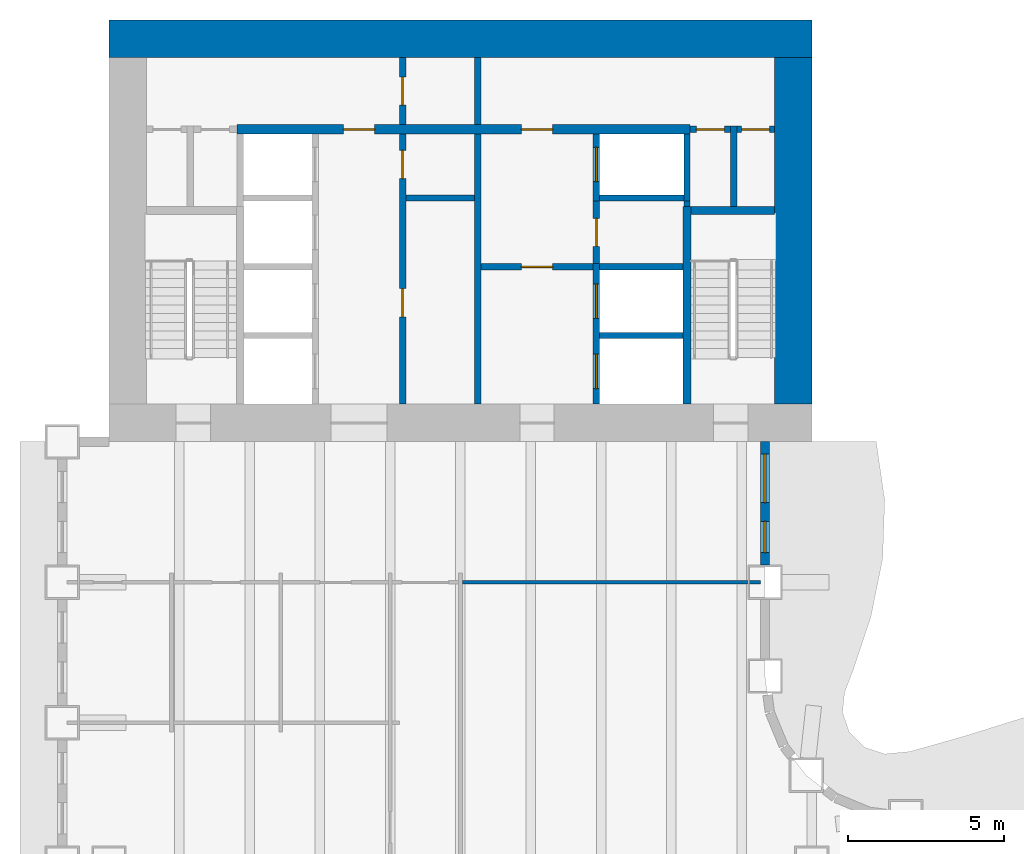
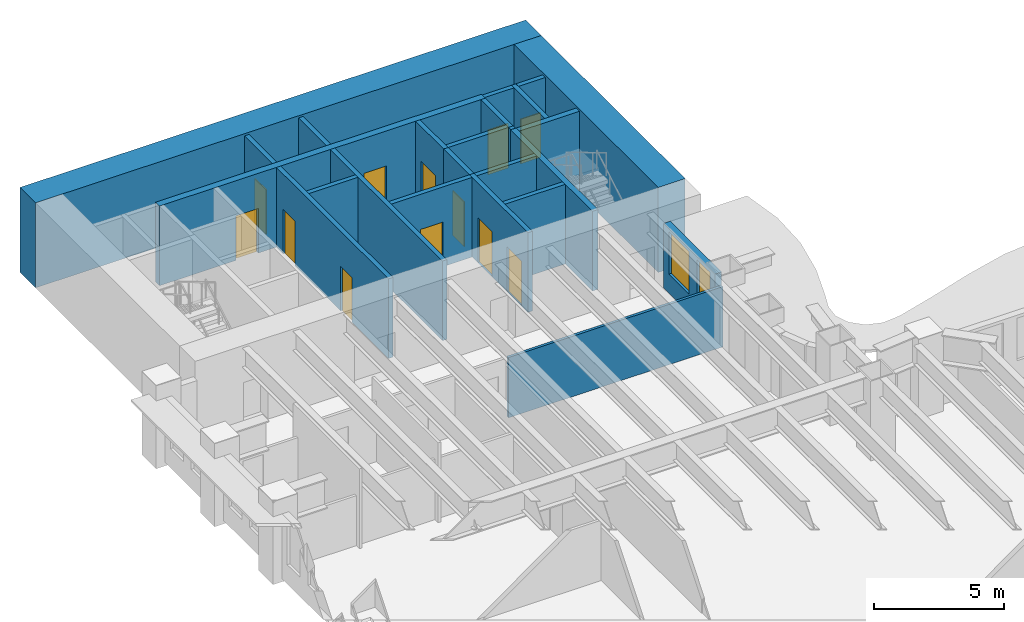
# One storey, part 8 of 16: 24 walls, 12 doors, 2 windows, 14 openings.
"""IFC4 building model written with IfcOpenShell, lengths in metres."""

from ifc_helpers import new_model, si_unit, direction, frame, frame_2d, origin, place, context, subcontext, project, spatial, rectangle, extrude, material, layer, layer_set, type_object, element, fill, save


model = new_model("IFC4")

# Units and contexts
model_context = context("Model", 3, precision=1e-05, world=origin(), true_north=direction((0.0, 1.0)))
body_context = subcontext(model_context, "Body", "Model", "MODEL_VIEW")
ifc_project = project(units=[si_unit("LENGTHUNIT", "METRE"), si_unit("AREAUNIT", "SQUARE_METRE"), si_unit("VOLUMEUNIT", "CUBIC_METRE"), si_unit("PLANEANGLEUNIT", "RADIAN"), si_unit("MASSUNIT", "GRAM", prefix="KILO")], contexts=[model_context])

# Site, building, storey
site_placement = place(None, origin())
site = spatial("IfcSite", under=ifc_project, at=site_placement, CompositionType="ELEMENT")
building_placement = place(site_placement, origin())
building = spatial("IfcBuilding", under=site, at=building_placement, Name="Sennacour Bend Tower", CompositionType="ELEMENT")
storey_placement = place(building_placement, frame((0.0, 0.0, 73.0)))
storey = spatial("IfcBuildingStorey", under=building, at=storey_placement, Name="L16", CompositionType="ELEMENT", Elevation=73.0)

# Walls
ifc_material_1 = material(Name="Concrete C80/95", Category="concrete")
ifc_layer_1 = layer(ifc_material_1, 1.199951171875, Name="Concrete C80/95", Category="concrete")
ifc_layer_set_1 = layer_set([ifc_layer_1], Name="Concrete C80/95")
wall_type_1 = type_object("IfcWallType", Name="Core wall 1200 C80/95", PredefinedType="SHEAR", material=ifc_layer_set_1)
wall_1_placement = place(storey_placement, frame((0.0, 48.89990234375, -0.14990234375), z_axis=(0.0, 0.0, 1.0), x_axis=(1.0, 0.0, 0.0)))
element("IfcWall", 1, at=wall_1_placement, inside=storey, type_object=wall_type_1, Name="Core B wall L16 N", PredefinedType="SHEAR", context=body_context, shape_type="SweptSolid", body=[
    extrude(rectangle(XDim=22.5, YDim=1.199951171875, at=frame_2d((11.25, 0.0))), origin(), (0.0, 0.0, 1.0), 4.0),
])
wall_2_placement = place(storey_placement, frame((21.89990234375, 37.199951171875, -0.14990234375), z_axis=(0.0, 0.0, 1.0), x_axis=(0.0, 1.0, 0.0)))
element("IfcWall", 2, at=wall_2_placement, inside=storey, type_object=wall_type_1, Name="Core B wall L16 E", PredefinedType="SHEAR", context=body_context, shape_type="SweptSolid", body=[
    extrude(rectangle(XDim=11.10009765625, YDim=1.199951171875, at=frame_2d((5.550048828125, 0.0))), origin(), (0.0, 0.0, 1.0), 4.0),
])
ifc_material_2 = material(Name="Plasterboard partition on steel studs", Category="steel")
ifc_layer_2 = layer(ifc_material_2, 0.1201171875, Name="Plasterboard partition on steel studs", Category="steel")
ifc_layer_set_2 = layer_set([ifc_layer_2], Name="Plasterboard partition on steel studs")
wall_type_2 = type_object("IfcWallType", Name="Partition 120", PredefinedType="PARTITIONING", material=ifc_layer_set_2)
wall_3_placement = place(storey_placement, frame((11.31005859375, 31.5, 0.0), z_axis=(0.0, 0.0, 1.0), x_axis=(1.0, 0.0, 0.0)))
element("IfcWall", 3, at=wall_3_placement, inside=storey, type_object=wall_type_2, Name="P-L16-W076ae", PredefinedType="PARTITIONING", context=body_context, shape_type="SweptSolid", body=[
    extrude(rectangle(XDim=9.5400390625, YDim=0.1201171875, at=frame_2d((4.77001953125, 0.0))), origin(), (0.0, 0.0, 1.0), 2.837890625),
])

# Wall, openings, doors
ifc_material_3 = material(Name="Fire-rated plasterboard partition on steel studs", Category="steel")
ifc_layer_3 = layer(ifc_material_3, 0.199951171875, Name="Fire-rated plasterboard partition on steel studs", Category="steel")
ifc_layer_set_3 = layer_set([ifc_layer_3], Name="Fire-rated plasterboard partition on steel studs")
wall_type_3 = type_object("IfcWallType", Name="Rated partition 200", PredefinedType="PARTITIONING", material=ifc_layer_set_3)
wall_4_placement = place(storey_placement, frame((9.39990234375, 37.199951171875, 0.0), z_axis=(0.0, 0.0, 1.0), x_axis=(0.0, 1.0, 0.0)))
wall_4 = element("IfcWall", 4, at=wall_4_placement, inside=storey, type_object=wall_type_3, Name="P-L16-W012a", PredefinedType="PARTITIONING", context=body_context, shape_type="SweptSolid", body=[
    extrude(rectangle(XDim=8.650146484375, YDim=0.199951171875, at=frame_2d((4.3251953125, 0.0))), origin(), (0.0, 0.0, 1.0), 3.75),
])
opening_1_placement = place(wall_4_placement, frame((2.800048828125, 0.0, 0.0)))
opening_1 = element("IfcOpeningElement", 5, at=opening_1_placement, cuts=wall_4, Name="Opening SV", PredefinedType="OPENING", context=body_context, shape_type="SweptSolid", body=[
    extrude(rectangle(XDim=0.89990234375, YDim=2.10009765625, at=frame_2d((0.449951171875, 1.050048828125))), frame((0.0, 0.10986328125, 0.0), z_axis=(0.0, -1.0, 0.0), x_axis=(1.0, 0.0, 0.0)), (0.0, 0.0, 1.0), 0.219970703125),
])
opening_2_placement = place(wall_4_placement, frame((7.22509765625, 0.0, 0.0)))
opening_2 = element("IfcOpeningElement", 6, at=opening_2_placement, cuts=wall_4, Name="Opening SV", PredefinedType="OPENING", context=body_context, shape_type="SweptSolid", body=[
    extrude(rectangle(XDim=0.89990234375, YDim=2.10009765625, at=frame_2d((0.449951171875, 1.050048828125))), frame((0.0, 0.10986328125, 0.0), z_axis=(0.0, -1.0, 0.0), x_axis=(1.0, 0.0, 0.0)), (0.0, 0.0, 1.0), 0.219970703125),
])
ifc_material_4 = material(Name="Painted steel", Category="steel")
door_type_1 = type_object("IfcDoorType", Name="DR-SERVICE-900", OperationType="NOTDEFINED", PredefinedType="DOOR", material=ifc_material_4)
door_1_placement = place(opening_1_placement, origin())
door_1 = element("IfcDoor", 7, at=door_1_placement, inside=storey, type_object=door_type_1, Name="Door", OperationType="SINGLE_SWING_LEFT", OverallHeight=2.10009765625, OverallWidth=0.89990234375, PredefinedType="DOOR", context=body_context, shape_type="SweptSolid", body=[
    extrude(rectangle(XDim=0.89990234375, YDim=2.10009765625, at=frame_2d((0.449951171875, 1.050048828125))), frame((0.0, 0.02490234375, 0.0), z_axis=(0.0, -1.0, 0.0), x_axis=(1.0, 0.0, 0.0)), (0.0, 0.0, 1.0), 0.050048828125),
])
fill(opening_1, door_1)
door_2_placement = place(opening_2_placement, origin())
door_2 = element("IfcDoor", 8, at=door_2_placement, inside=storey, type_object=door_type_1, Name="Door", OperationType="SINGLE_SWING_RIGHT", OverallHeight=2.10009765625, OverallWidth=0.89990234375, PredefinedType="DOOR", context=body_context, shape_type="SweptSolid", body=[
    extrude(rectangle(XDim=0.89990234375, YDim=2.10009765625, at=frame_2d((0.449951171875, 1.050048828125))), frame((0.0, 0.02490234375, 0.0), z_axis=(0.0, -1.0, 0.0), x_axis=(1.0, 0.0, 0.0)), (0.0, 0.0, 1.0), 0.050048828125),
])
fill(opening_2, door_2)

# Wall, opening, door
wall_5_placement = place(storey_placement, frame((9.39990234375, 46.14990234375, 0.0), z_axis=(0.0, 0.0, 1.0), x_axis=(0.0, 1.0, 0.0)))
wall_5 = element("IfcWall", 9, at=wall_5_placement, inside=storey, type_object=wall_type_3, Name="P-L16-W012b", PredefinedType="PARTITIONING", context=body_context, shape_type="SweptSolid", body=[
    extrude(rectangle(XDim=2.150146484375, YDim=0.199951171875, at=frame_2d((1.0751953125, 0.0))), origin(), (0.0, 0.0, 1.0), 3.75),
])
opening_3_placement = place(wall_5_placement, frame((0.625, 0.0, 0.0)))
opening_3 = element("IfcOpeningElement", 10, at=opening_3_placement, cuts=wall_5, Name="Opening SV", PredefinedType="OPENING", context=body_context, shape_type="SweptSolid", body=[
    extrude(rectangle(XDim=0.89990234375, YDim=2.10009765625, at=frame_2d((0.449951171875, 1.050048828125))), frame((0.0, 0.10986328125, 0.0), z_axis=(0.0, -1.0, 0.0), x_axis=(1.0, 0.0, 0.0)), (0.0, 0.0, 1.0), 0.219970703125),
])
door_3_placement = place(opening_3_placement, origin())
door_3 = element("IfcDoor", 11, at=door_3_placement, inside=storey, type_object=door_type_1, Name="Door", OperationType="SINGLE_SWING_LEFT", OverallHeight=2.10009765625, OverallWidth=0.89990234375, PredefinedType="DOOR", context=body_context, shape_type="SweptSolid", body=[
    extrude(rectangle(XDim=0.89990234375, YDim=2.10009765625, at=frame_2d((0.449951171875, 1.050048828125))), frame((0.0, 0.02490234375, 0.0), z_axis=(0.0, -1.0, 0.0), x_axis=(1.0, 0.0, 0.0)), (0.0, 0.0, 1.0), 0.050048828125),
])
fill(opening_3, door_3)

# Walls
wall_6_placement = place(storey_placement, frame((11.800048828125, 37.199951171875, 0.0), z_axis=(0.0, 0.0, 1.0), x_axis=(0.0, 1.0, 0.0)))
element("IfcWall", 12, at=wall_6_placement, inside=storey, type_object=wall_type_3, Name="P-L16-W015a", PredefinedType="PARTITIONING", context=body_context, shape_type="SweptSolid", body=[
    extrude(rectangle(XDim=8.650146484375, YDim=0.199951171875, at=frame_2d((4.3251953125, 0.0))), origin(), (0.0, 0.0, 1.0), 3.75),
])
wall_7_placement = place(storey_placement, frame((11.800048828125, 46.14990234375, 0.0), z_axis=(0.0, 0.0, 1.0), x_axis=(0.0, 1.0, 0.0)))
element("IfcWall", 13, at=wall_7_placement, inside=storey, type_object=wall_type_3, Name="P-L16-W015b", PredefinedType="PARTITIONING", context=body_context, shape_type="SweptSolid", body=[
    extrude(rectangle(XDim=2.150146484375, YDim=0.199951171875, at=frame_2d((1.0751953125, 0.0))), origin(), (0.0, 0.0, 1.0), 3.75),
])

# Wall, opening, door
wall_8_placement = place(storey_placement, frame((15.60009765625, 41.699951171875, 0.0), z_axis=(0.0, 0.0, 1.0), x_axis=(0.0, 1.0, 0.0)))
wall_8 = element("IfcWall", 14, at=wall_8_placement, inside=storey, type_object=wall_type_3, Name="P-L16-W017", PredefinedType="PARTITIONING", context=body_context, shape_type="SweptSolid", body=[
    extrude(rectangle(XDim=2.0, YDim=0.199951171875, at=frame_2d((1.0, 0.0))), origin(), (0.0, 0.0, 1.0), 3.75),
])
opening_4_placement = place(wall_8_placement, frame((0.550048828125, 0.0, 0.0)))
opening_4 = element("IfcOpeningElement", 15, at=opening_4_placement, cuts=wall_8, Name="Opening SV", PredefinedType="OPENING", context=body_context, shape_type="SweptSolid", body=[
    extrude(rectangle(XDim=0.89990234375, YDim=2.10009765625, at=frame_2d((0.449951171875, 1.050048828125))), frame((0.0, 0.10986328125, 0.0), z_axis=(0.0, -1.0, 0.0), x_axis=(1.0, 0.0, 0.0)), (0.0, 0.0, 1.0), 0.219970703125),
])
door_4_placement = place(opening_4_placement, origin())
door_4 = element("IfcDoor", 16, at=door_4_placement, inside=storey, type_object=door_type_1, Name="Door", OperationType="SINGLE_SWING_RIGHT", OverallHeight=2.10009765625, OverallWidth=0.89990234375, PredefinedType="DOOR", context=body_context, shape_type="SweptSolid", body=[
    extrude(rectangle(XDim=0.89990234375, YDim=2.10009765625, at=frame_2d((0.449951171875, 1.050048828125))), frame((0.0, 0.02490234375, 0.0), z_axis=(0.0, -1.0, 0.0), x_axis=(1.0, 0.0, 0.0)), (0.0, 0.0, 1.0), 0.050048828125),
])
fill(opening_4, door_4)

# Walls
wall_9_placement = place(storey_placement, frame((18.5, 43.52490234375, 0.0), z_axis=(0.0, 0.0, 1.0), x_axis=(0.0, 1.0, 0.0)))
element("IfcWall", 17, at=wall_9_placement, inside=storey, type_object=wall_type_3, Name="P-L16-W021", PredefinedType="PARTITIONING", context=body_context, shape_type="SweptSolid", body=[
    extrude(rectangle(XDim=0.175048828125, YDim=0.199951171875, at=frame_2d((0.08740234375, 0.0))), origin(), (0.0, 0.0, 1.0), 3.75),
])
wall_10_placement = place(storey_placement, frame((20.0, 43.52490234375, 0.0), z_axis=(0.0, 0.0, 1.0), x_axis=(0.0, 1.0, 0.0)))
element("IfcWall", 18, at=wall_10_placement, inside=storey, type_object=wall_type_3, Name="P-L16-W023", PredefinedType="PARTITIONING", context=body_context, shape_type="SweptSolid", body=[
    extrude(rectangle(XDim=2.5751953125, YDim=0.199951171875, at=frame_2d((1.28759765625, 0.0))), origin(), (0.0, 0.0, 1.0), 3.75),
])
wall_11_placement = place(storey_placement, frame((9.5, 43.800048828125, 0.0), z_axis=(0.0, 0.0, 1.0), x_axis=(1.0, 0.0, 0.0)))
element("IfcWall", 19, at=wall_11_placement, inside=storey, type_object=wall_type_3, Name="P-L16-W086", PredefinedType="PARTITIONING", context=body_context, shape_type="SweptSolid", body=[
    extrude(rectangle(XDim=2.199951171875, YDim=0.199951171875, at=frame_2d((1.10009765625, 0.0))), origin(), (0.0, 0.0, 1.0), 3.75),
])

# Wall, opening, door
wall_12_placement = place(storey_placement, frame((18.60009765625, 46.0, 0.0), z_axis=(0.0, 0.0, 1.0), x_axis=(1.0, 0.0, 0.0)))
wall_12 = element("IfcWall", 20, at=wall_12_placement, inside=storey, type_object=wall_type_3, Name="P-L16-W090a", PredefinedType="PARTITIONING", context=body_context, shape_type="SweptSolid", body=[
    extrude(rectangle(XDim=1.2998046875, YDim=0.199951171875, at=frame_2d((0.64990234375, 0.0))), origin(), (0.0, 0.0, 1.0), 3.75),
])
opening_5_placement = place(wall_12_placement, frame((0.199951171875, 0.0, 0.0)))
opening_5 = element("IfcOpeningElement", 21, at=opening_5_placement, cuts=wall_12, Name="Opening SV", PredefinedType="OPENING", context=body_context, shape_type="SweptSolid", body=[
    extrude(rectangle(XDim=0.89990234375, YDim=2.10009765625, at=frame_2d((0.449951171875, 1.050048828125))), frame((0.0, 0.10986328125, 0.0), z_axis=(0.0, -1.0, 0.0), x_axis=(1.0, 0.0, 0.0)), (0.0, 0.0, 1.0), 0.219970703125),
])
door_5_placement = place(opening_5_placement, origin())
door_5 = element("IfcDoor", 22, at=door_5_placement, inside=storey, type_object=door_type_1, Name="Door", OperationType="SINGLE_SWING_LEFT", OverallHeight=2.10009765625, OverallWidth=0.89990234375, PredefinedType="DOOR", context=body_context, shape_type="SweptSolid", body=[
    extrude(rectangle(XDim=0.89990234375, YDim=2.10009765625, at=frame_2d((0.449951171875, 1.050048828125))), frame((0.0, 0.02490234375, 0.0), z_axis=(0.0, -1.0, 0.0), x_axis=(1.0, 0.0, 0.0)), (0.0, 0.0, 1.0), 0.050048828125),
])
fill(opening_5, door_5)

wall_13_placement = place(storey_placement, frame((20.10009765625, 46.0, 0.0), z_axis=(0.0, 0.0, 1.0), x_axis=(1.0, 0.0, 0.0)))
wall_13 = element("IfcWall", 23, at=wall_13_placement, inside=storey, type_object=wall_type_3, Name="P-L16-W090b", PredefinedType="PARTITIONING", context=body_context, shape_type="SweptSolid", body=[
    extrude(rectangle(XDim=1.199951171875, YDim=0.199951171875, at=frame_2d((0.60009765625, 0.0))), origin(), (0.0, 0.0, 1.0), 3.75),
])
opening_6_placement = place(wall_13_placement, frame((0.14990234375, 0.0, 0.0)))
opening_6 = element("IfcOpeningElement", 24, at=opening_6_placement, cuts=wall_13, Name="Opening SV", PredefinedType="OPENING", context=body_context, shape_type="SweptSolid", body=[
    extrude(rectangle(XDim=0.89990234375, YDim=2.10009765625, at=frame_2d((0.449951171875, 1.050048828125))), frame((0.0, 0.10986328125, 0.0), z_axis=(0.0, -1.0, 0.0), x_axis=(1.0, 0.0, 0.0)), (0.0, 0.0, 1.0), 0.219970703125),
])
door_6_placement = place(opening_6_placement, origin())
door_6 = element("IfcDoor", 25, at=door_6_placement, inside=storey, type_object=door_type_1, Name="Door", OperationType="SINGLE_SWING_LEFT", OverallHeight=2.10009765625, OverallWidth=0.89990234375, PredefinedType="DOOR", context=body_context, shape_type="SweptSolid", body=[
    extrude(rectangle(XDim=0.89990234375, YDim=2.10009765625, at=frame_2d((0.449951171875, 1.050048828125))), frame((0.0, 0.02490234375, 0.0), z_axis=(0.0, -1.0, 0.0), x_axis=(1.0, 0.0, 0.0)), (0.0, 0.0, 1.0), 0.050048828125),
])
fill(opening_6, door_6)

ifc_layer_4 = layer(ifc_material_3, 0.199951171875, Name="Fire-rated plasterboard partition on steel studs", Category="steel")
ifc_layer_set_4 = layer_set([ifc_layer_4], Name="Fire-rated plasterboard partition on steel studs")
wall_type_4 = type_object("IfcWallType", Name="Rated partition 200 EI 90", PredefinedType="PARTITIONING", material=ifc_layer_set_4)
wall_14_placement = place(storey_placement, frame((11.89990234375, 41.60009765625, 0.0), z_axis=(0.0, 0.0, 1.0), x_axis=(1.0, 0.0, 0.0)))
wall_14 = element("IfcWall", 26, at=wall_14_placement, inside=storey, type_object=wall_type_4, Name="P-L16-W081", PredefinedType="PARTITIONING", context=body_context, shape_type="SweptSolid", body=[
    extrude(rectangle(XDim=3.60009765625, YDim=0.199951171875, at=frame_2d((1.800048828125, 0.0))), origin(), (0.0, 0.0, 1.0), 3.75),
])
opening_7_placement = place(wall_14_placement, frame((1.300048828125, 0.0, 0.0)))
opening_7 = element("IfcOpeningElement", 27, at=opening_7_placement, cuts=wall_14, Name="Opening FD2", PredefinedType="OPENING", context=body_context, shape_type="SweptSolid", body=[
    extrude(rectangle(XDim=1.0, YDim=2.10009765625, at=frame_2d((0.5, 1.050048828125))), frame((0.0, 0.10986328125, 0.0), z_axis=(0.0, -1.0, 0.0), x_axis=(1.0, 0.0, 0.0)), (0.0, 0.0, 1.0), 0.219970703125),
])
door_type_2 = type_object("IfcDoorType", Name="DR-FFL-1000", OperationType="NOTDEFINED", PredefinedType="DOOR", material=ifc_material_4)
door_7_placement = place(opening_7_placement, origin())
door_7 = element("IfcDoor", 28, at=door_7_placement, inside=storey, type_object=door_type_2, Name="Door", OperationType="SINGLE_SWING_LEFT", OverallHeight=2.10009765625, OverallWidth=1.0, PredefinedType="DOOR", context=body_context, shape_type="SweptSolid", body=[
    extrude(rectangle(XDim=1.0, YDim=2.10009765625, at=frame_2d((0.5, 1.050048828125))), frame((0.0, 0.02490234375, 0.0), z_axis=(0.0, -1.0, 0.0), x_axis=(1.0, 0.0, 0.0)), (0.0, 0.0, 1.0), 0.050048828125),
])
fill(opening_7, door_7)

# Wall, openings, windows
ifc_material_5 = material(Name="Warm limestone cladding", Category="masonry")
ifc_layer_5 = layer(ifc_material_5, 0.050048828125, Name="Warm limestone cladding", Category="masonry")
ifc_material_6 = material(Name="Precast concrete C40/50", Category="concrete")
ifc_layer_6 = layer(ifc_material_6, 0.25, Name="Precast concrete C40/50", Category="concrete")
ifc_layer_set_5 = layer_set([ifc_layer_5, ifc_layer_6], Name="Precast concrete C40/50 with limestone cladding")
wall_type_5 = type_object("IfcWallType", Name="STONE-CLAD PRECAST SPANDREL 300", PredefinedType="STANDARD", material=ifc_layer_set_5)
wall_15_placement = place(storey_placement, frame((21.0, 32.050048828125, 0.0), z_axis=(0.0, 0.0, 1.0), x_axis=(0.0, 1.0, 0.0)))
wall_15 = element("IfcWall", 29, at=wall_15_placement, inside=storey, type_object=wall_type_5, Name="Stone spandrel and pier wall L16 15.01", PredefinedType="STANDARD", context=body_context, shape_type="SweptSolid", body=[
    extrude(rectangle(XDim=3.949951171875, YDim=0.300048828125, at=frame_2d((1.97509765625, 0.0))), origin(), (0.0, 0.0, 1.0), 3.0439453125),
])
opening_8_placement = place(wall_15_placement, frame((0.39990234375, 0.0, 0.89990234375)))
opening_8 = element("IfcOpeningElement", 30, at=opening_8_placement, cuts=wall_15, Name="Opening W8", PredefinedType="OPENING", context=body_context, shape_type="SweptSolid", body=[
    extrude(rectangle(XDim=1.0, YDim=2.0, at=frame_2d((0.5, 1.0))), frame((0.0, 0.16015625, 0.0), z_axis=(0.0, -1.0, 0.0), x_axis=(1.0, 0.0, 0.0)), (0.0, 0.0, 1.0), 0.320068359375),
])
opening_9_placement = place(wall_15_placement, frame((2.0, 0.0, 0.89990234375)))
opening_9 = element("IfcOpeningElement", 31, at=opening_9_placement, cuts=wall_15, Name="Opening W9", PredefinedType="OPENING", context=body_context, shape_type="SweptSolid", body=[
    extrude(rectangle(XDim=1.550048828125, YDim=2.0, at=frame_2d((0.77490234375, 1.0))), frame((0.0, 0.16015625, 0.0), z_axis=(0.0, -1.0, 0.0), x_axis=(1.0, 0.0, 0.0)), (0.0, 0.0, 1.0), 0.320068359375),
])
ifc_material_7 = material(Name="Clear low-emissivity glass", Category="glass")
window_type_1 = type_object("IfcWindowType", Name="WIN-RIBBON-1000x2000", PartitioningType="SINGLE_PANEL", PredefinedType="WINDOW", material=ifc_material_7)
window_1_placement = place(opening_8_placement, origin())
window_1 = element("IfcWindow", 32, at=window_1_placement, inside=storey, type_object=window_type_1, Name="Ribbon window L16 15.01.0", OverallHeight=2.0, OverallWidth=1.0, PartitioningType="SINGLE_PANEL", PredefinedType="WINDOW", context=body_context, shape_type="SweptSolid", body=[
    extrude(rectangle(XDim=1.0, YDim=2.0, at=frame_2d((0.5, 1.0))), frame((0.0, 0.030029296875, 0.0), z_axis=(0.0, -1.0, 0.0), x_axis=(1.0, 0.0, 0.0)), (0.0, 0.0, 1.0), 0.06005859375),
])
fill(opening_8, window_1)
window_type_2 = type_object("IfcWindowType", Name="WIN-RIBBON-1550x2000", PartitioningType="SINGLE_PANEL", PredefinedType="WINDOW", material=ifc_material_7)
window_2_placement = place(opening_9_placement, origin())
window_2 = element("IfcWindow", 33, at=window_2_placement, inside=storey, type_object=window_type_2, Name="Ribbon window L16 15.01.1", OverallHeight=2.0, OverallWidth=1.550048828125, PartitioningType="SINGLE_PANEL", PredefinedType="WINDOW", context=body_context, shape_type="SweptSolid", body=[
    extrude(rectangle(XDim=1.550048828125, YDim=2.0, at=frame_2d((0.77490234375, 1.0))), frame((0.0, 0.030029296875, 0.0), z_axis=(0.0, -1.0, 0.0), x_axis=(1.0, 0.0, 0.0)), (0.0, 0.0, 1.0), 0.06005859375),
])
fill(opening_9, window_2)

# Wall, openings, doors
ifc_material_8 = material(Name="Concrete C50/60", Category="concrete")
ifc_layer_7 = layer(ifc_material_8, 0.199951171875, Name="Concrete C50/60", Category="concrete")
ifc_layer_set_6 = layer_set([ifc_layer_7], Name="Concrete C50/60")
wall_type_6 = type_object("IfcWallType", Name="Shaft wall 200", PredefinedType="SOLIDWALL", material=ifc_layer_set_6)
wall_16_placement = place(storey_placement, frame((15.60009765625, 37.199951171875, 0.0), z_axis=(0.0, 0.0, 1.0), x_axis=(0.0, 1.0, 0.0)))
wall_16 = element("IfcWall", 34, at=wall_16_placement, inside=storey, type_object=wall_type_6, Name="P-L16-W016", PredefinedType="SOLIDWALL", context=body_context, shape_type="SweptSolid", body=[
    extrude(rectangle(XDim=4.5, YDim=0.199951171875, at=frame_2d((2.25, 0.0))), origin(), (0.0, 0.0, 1.0), 3.75),
])
opening_10_placement = place(wall_16_placement, frame((0.5, 0.0, 0.011962890625)))
opening_10 = element("IfcOpeningElement", 35, at=opening_10_placement, cuts=wall_16, Name="Opening FLD", PredefinedType="OPENING", context=body_context, shape_type="SweptSolid", body=[
    extrude(rectangle(XDim=1.10009765625, YDim=2.10009765625, at=frame_2d((0.550048828125, 1.050048828125))), frame((0.0, 0.10986328125, 0.0), z_axis=(0.0, -1.0, 0.0), x_axis=(1.0, 0.0, 0.0)), (0.0, 0.0, 1.0), 0.219970703125),
])
opening_11_placement = place(wall_16_placement, frame((2.75, 0.0, 0.011962890625)))
opening_11 = element("IfcOpeningElement", 36, at=opening_11_placement, cuts=wall_16, Name="Opening FLD", PredefinedType="OPENING", context=body_context, shape_type="SweptSolid", body=[
    extrude(rectangle(XDim=1.10009765625, YDim=2.10009765625, at=frame_2d((0.550048828125, 1.050048828125))), frame((0.0, 0.10986328125, 0.0), z_axis=(0.0, -1.0, 0.0), x_axis=(1.0, 0.0, 0.0)), (0.0, 0.0, 1.0), 0.219970703125),
])
ifc_material_9 = material(Name="Stainless steel", Category="steel")
door_type_3 = type_object("IfcDoorType", Name="DR-FF-LANDING-1100", OperationType="NOTDEFINED", PredefinedType="DOOR", material=ifc_material_9)
door_8_placement = place(opening_10_placement, origin())
door_8 = element("IfcDoor", 37, at=door_8_placement, inside=storey, type_object=door_type_3, Name="Fire service lift landing door FB1", OperationType="SLIDING_TO_LEFT", OverallHeight=2.10009765625, OverallWidth=1.10009765625, PredefinedType="DOOR", context=body_context, shape_type="SweptSolid", body=[
    extrude(rectangle(XDim=1.10009765625, YDim=2.10009765625, at=frame_2d((0.550048828125, 1.050048828125))), frame((0.0, 0.02490234375, 0.0), z_axis=(0.0, -1.0, 0.0), x_axis=(1.0, 0.0, 0.0)), (0.0, 0.0, 1.0), 0.050048828125),
])
fill(opening_10, door_8)
door_9_placement = place(opening_11_placement, origin())
door_9 = element("IfcDoor", 38, at=door_9_placement, inside=storey, type_object=door_type_3, Name="Fire service lift landing door FB2", OperationType="SLIDING_TO_RIGHT", OverallHeight=2.10009765625, OverallWidth=1.10009765625, PredefinedType="DOOR", context=body_context, shape_type="SweptSolid", body=[
    extrude(rectangle(XDim=1.10009765625, YDim=2.10009765625, at=frame_2d((0.550048828125, 1.050048828125))), frame((0.0, 0.02490234375, 0.0), z_axis=(0.0, -1.0, 0.0), x_axis=(1.0, 0.0, 0.0)), (0.0, 0.0, 1.0), 0.050048828125),
])
fill(opening_11, door_9)

# Wall, opening, door
wall_17_placement = place(storey_placement, frame((15.60009765625, 43.699951171875, 0.0), z_axis=(0.0, 0.0, 1.0), x_axis=(0.0, 1.0, 0.0)))
wall_17 = element("IfcWall", 39, at=wall_17_placement, inside=storey, type_object=wall_type_6, Name="P-L16-W018", PredefinedType="SOLIDWALL", context=body_context, shape_type="SweptSolid", body=[
    extrude(rectangle(XDim=2.150146484375, YDim=0.199951171875, at=frame_2d((1.0751953125, 0.0))), origin(), (0.0, 0.0, 1.0), 3.75),
])
opening_12_placement = place(wall_17_placement, frame((0.625, 0.0, 0.011962890625)))
opening_12 = element("IfcOpeningElement", 40, at=opening_12_placement, cuts=wall_17, Name="Opening LD", PredefinedType="OPENING", context=body_context, shape_type="SweptSolid", body=[
    extrude(rectangle(XDim=1.10009765625, YDim=2.10009765625, at=frame_2d((0.550048828125, 1.050048828125))), frame((0.0, 0.10986328125, 0.0), z_axis=(0.0, -1.0, 0.0), x_axis=(1.0, 0.0, 0.0)), (0.0, 0.0, 1.0), 0.219970703125),
])
door_type_4 = type_object("IfcDoorType", Name="DR-LANDING-1100", OperationType="NOTDEFINED", PredefinedType="DOOR", material=ifc_material_9)
door_10_placement = place(opening_12_placement, origin())
door_10 = element("IfcDoor", 41, at=door_10_placement, inside=storey, type_object=door_type_4, Name="Lift landing door LB5", OperationType="SLIDING_TO_LEFT", OverallHeight=2.10009765625, OverallWidth=1.10009765625, PredefinedType="DOOR", context=body_context, shape_type="SweptSolid", body=[
    extrude(rectangle(XDim=1.10009765625, YDim=2.10009765625, at=frame_2d((0.550048828125, 1.050048828125))), frame((0.0, 0.02490234375, 0.0), z_axis=(0.0, -1.0, 0.0), x_axis=(1.0, 0.0, 0.0)), (0.0, 0.0, 1.0), 0.050048828125),
])
fill(opening_12, door_10)

# Walls
wall_18_placement = place(storey_placement, frame((18.5, 43.699951171875, 0.0), z_axis=(0.0, 0.0, 1.0), x_axis=(0.0, 1.0, 0.0)))
element("IfcWall", 42, at=wall_18_placement, inside=storey, type_object=wall_type_6, Name="P-L16-W022", PredefinedType="SOLIDWALL", context=body_context, shape_type="SweptSolid", body=[
    extrude(rectangle(XDim=2.150146484375, YDim=0.199951171875, at=frame_2d((1.0751953125, 0.0))), origin(), (0.0, 0.0, 1.0), 3.75),
])
for number, where, z_axis, x_axis, name in (
    (43, (15.699951171875, 39.39990234375, 0.0), (0.0, 0.0, 1.0), (1.0, 0.0, 0.0), "P-L16-W079"),
    (44, (15.699951171875, 41.60009765625, 0.0), (0.0, 0.0, 1.0), (1.0, 0.0, 0.0), "P-L16-W082"),
):
    element("IfcWall", number, at=place(storey_placement, frame(where, z_axis=z_axis, x_axis=x_axis)), inside=storey, type_object=wall_type_6, Name=name, PredefinedType="SOLIDWALL", context=body_context, shape_type="SweptSolid", body=[
        extrude(rectangle(XDim=2.675048828125, YDim=0.199951171875, at=frame_2d((1.33740234375, 0.0))), origin(), (0.0, 0.0, 1.0), 3.75),
    ])
wall_19_placement = place(storey_placement, frame((15.699951171875, 43.800048828125, 0.0), z_axis=(0.0, 0.0, 1.0), x_axis=(1.0, 0.0, 0.0)))
element("IfcWall", 45, at=wall_19_placement, inside=storey, type_object=wall_type_6, Name="P-L16-W087", PredefinedType="SOLIDWALL", context=body_context, shape_type="SweptSolid", body=[
    extrude(rectangle(XDim=2.699951171875, YDim=0.199951171875, at=frame_2d((1.35009765625, 0.0))), origin(), (0.0, 0.0, 1.0), 3.75),
])

# Wall, openings, doors
ifc_material_10 = material(Name="Concrete C60/75", Category="concrete")
ifc_layer_8 = layer(ifc_material_10, 0.300048828125, Name="Concrete C60/75", Category="concrete")
ifc_layer_set_7 = layer_set([ifc_layer_8], Name="Concrete C60/75")
wall_type_7 = type_object("IfcWallType", Name="Spine wall 300", PredefinedType="SHEAR", material=ifc_layer_set_7)
wall_20_placement = place(storey_placement, frame((4.10009765625, 46.0, 0.0), z_axis=(0.0, 0.0, 1.0), x_axis=(1.0, 0.0, 0.0)))
wall_20 = element("IfcWall", 46, at=wall_20_placement, inside=storey, type_object=wall_type_7, Name="P-L16-W089", PredefinedType="SHEAR", context=body_context, shape_type="SweptSolid", body=[
    extrude(rectangle(XDim=14.5, YDim=0.300048828125, at=frame_2d((7.25, 0.0))), origin(), (0.0, 0.0, 1.0), 3.75),
])
opening_13_placement = place(wall_20_placement, frame((3.39990234375, 0.0, 0.0)))
opening_13 = element("IfcOpeningElement", 47, at=opening_13_placement, cuts=wall_20, Name="Opening CD2", PredefinedType="OPENING", context=body_context, shape_type="SweptSolid", body=[
    extrude(rectangle(XDim=1.0, YDim=2.10009765625, at=frame_2d((0.5, 1.050048828125))), frame((0.0, 0.16015625, 0.0), z_axis=(0.0, -1.0, 0.0), x_axis=(1.0, 0.0, 0.0)), (0.0, 0.0, 1.0), 0.320068359375),
])
opening_14_placement = place(wall_20_placement, frame((9.099853515625, 0.0, 0.0)))
opening_14 = element("IfcOpeningElement", 48, at=opening_14_placement, cuts=wall_20, Name="Opening CD2", PredefinedType="OPENING", context=body_context, shape_type="SweptSolid", body=[
    extrude(rectangle(XDim=1.0, YDim=2.10009765625, at=frame_2d((0.5, 1.050048828125))), frame((0.0, 0.16015625, 0.0), z_axis=(0.0, -1.0, 0.0), x_axis=(1.0, 0.0, 0.0)), (0.0, 0.0, 1.0), 0.320068359375),
])
door_type_5 = type_object("IfcDoorType", Name="DR-LOBBY-1000", OperationType="NOTDEFINED", PredefinedType="DOOR", material=ifc_material_4)
door_11_placement = place(opening_13_placement, origin())
door_11 = element("IfcDoor", 49, at=door_11_placement, inside=storey, type_object=door_type_5, Name="Door", OperationType="SINGLE_SWING_LEFT", OverallHeight=2.10009765625, OverallWidth=1.0, PredefinedType="DOOR", context=body_context, shape_type="SweptSolid", body=[
    extrude(rectangle(XDim=1.0, YDim=2.10009765625, at=frame_2d((0.5, 1.050048828125))), frame((0.0, 0.02490234375, 0.0), z_axis=(0.0, -1.0, 0.0), x_axis=(1.0, 0.0, 0.0)), (0.0, 0.0, 1.0), 0.050048828125),
])
fill(opening_13, door_11)
door_12_placement = place(opening_14_placement, origin())
door_12 = element("IfcDoor", 50, at=door_12_placement, inside=storey, type_object=door_type_5, Name="Door", OperationType="SINGLE_SWING_RIGHT", OverallHeight=2.10009765625, OverallWidth=1.0, PredefinedType="DOOR", context=body_context, shape_type="SweptSolid", body=[
    extrude(rectangle(XDim=1.0, YDim=2.10009765625, at=frame_2d((0.5, 1.050048828125))), frame((0.0, 0.02490234375, 0.0), z_axis=(0.0, -1.0, 0.0), x_axis=(1.0, 0.0, 0.0)), (0.0, 0.0, 1.0), 0.050048828125),
])
fill(opening_14, door_12)

# Walls
ifc_layer_9 = layer(ifc_material_10, 0.25, Name="Concrete C60/75", Category="concrete")
ifc_layer_set_8 = layer_set([ifc_layer_9], Name="Concrete C60/75")
wall_type_8 = type_object("IfcWallType", Name="Stair wall 250", PredefinedType="SHEAR", material=ifc_layer_set_8)
wall_21_placement = place(storey_placement, frame((18.5, 37.199951171875, 0.0), z_axis=(0.0, 0.0, 1.0), x_axis=(0.0, 1.0, 0.0)))
element("IfcWall", 51, at=wall_21_placement, inside=storey, type_object=wall_type_8, Name="P-L16-W020", PredefinedType="SHEAR", context=body_context, shape_type="SweptSolid", body=[
    extrude(rectangle(XDim=6.324951171875, YDim=0.25, at=frame_2d((3.16259765625, 0.0))), origin(), (0.0, 0.0, 1.0), 3.75),
])
wall_22_placement = place(storey_placement, frame((18.625, 43.39990234375, 0.0), z_axis=(0.0, 0.0, 1.0), x_axis=(1.0, 0.0, 0.0)))
element("IfcWall", 52, at=wall_22_placement, inside=storey, type_object=wall_type_8, Name="P-L16-W084", PredefinedType="SHEAR", context=body_context, shape_type="SweptSolid", body=[
    extrude(rectangle(XDim=2.675048828125, YDim=0.25, at=frame_2d((1.33740234375, 0.0))), origin(), (0.0, 0.0, 1.0), 3.75),
])

save(model, "model.ifc")
